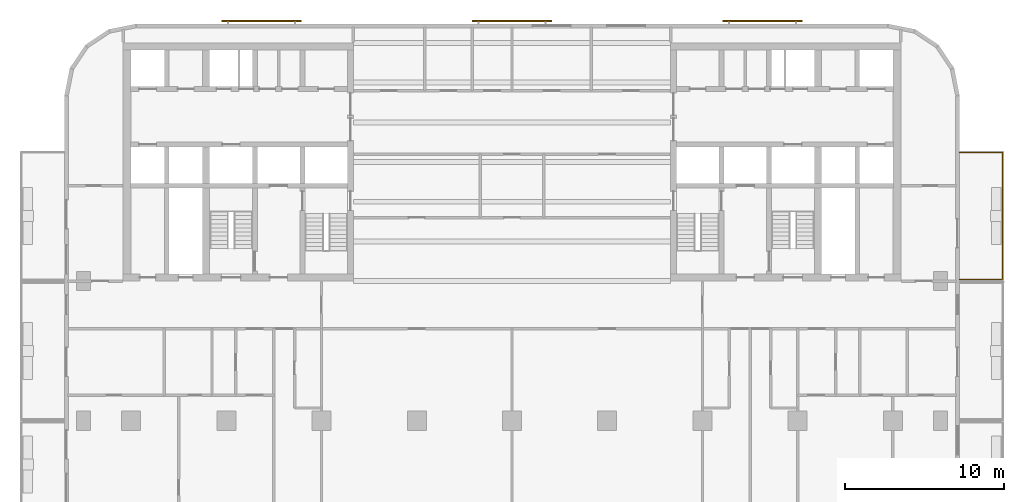
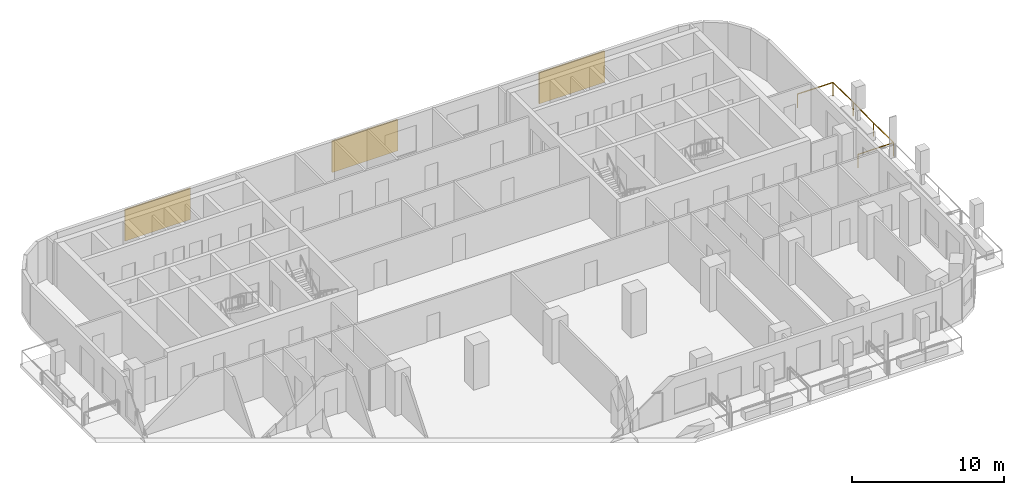
# One storey, part 10 of 11: 3 shading devices, 1 railing.
"""IFC4 building model written with IfcOpenShell, lengths in metres."""

from ifc_helpers import new_model, si_unit, direction, frame, origin, origin_2d, place, context, subcontext, project, spatial, rectangle, circle, extrude, material, layer, layer_set, type_object, element, save


model = new_model("IFC4")

# Units and contexts
model_context = context("Model", 3, precision=1e-05, world=origin(), true_north=direction((0.0, 1.0)))
body_context = subcontext(model_context, "Body", "Model", "MODEL_VIEW")
ifc_project = project(units=[si_unit("LENGTHUNIT", "METRE"), si_unit("AREAUNIT", "SQUARE_METRE"), si_unit("VOLUMEUNIT", "CUBIC_METRE"), si_unit("PLANEANGLEUNIT", "RADIAN"), si_unit("MASSUNIT", "GRAM", prefix="KILO")], contexts=[model_context])

# Site, building, storey
site_placement = place(None, origin())
site = spatial("IfcSite", under=ifc_project, at=site_placement, CompositionType="ELEMENT")
building_placement = place(site_placement, origin())
building = spatial("IfcBuilding", under=site, at=building_placement, Name="Torana Hotel and Residences", CompositionType="ELEMENT")
storey_placement = place(building_placement, frame((0.0, 0.0, 127.199951171875)))
storey = spatial("IfcBuildingStorey", under=building, at=storey_placement, Name="L32", CompositionType="ELEMENT", Elevation=127.199951171875)

# Railing
ifc_material_1 = material(Name="Laminated glass balustrade with black handrail", Category="glass")
railing_type = type_object("IfcRailingType", Name="GR1 BALCONY GUARD 1100 GLASS", PredefinedType="GUARDRAIL", material=ifc_material_1)
railing_placement = place(storey_placement, frame((28.199951171875, -6.89990234375, 0.0)))
element("IfcRailing", 1, at=railing_placement, inside=storey, type_object=railing_type, Name="Balcony guard 14", PredefinedType="GUARDRAIL", context=body_context, shape_type="SweptSolid", body=[
    extrude(circle(Radius=0.02392578125, at=origin_2d()), frame((0.0, 0.0, 1.076171875), z_axis=(1.0, 0.0, 0.0), x_axis=(0.0, 1.0, 0.0)), (0.0, 0.0, 1.0), 2.699951171875),
    extrude(circle(Radius=0.02392578125, at=origin_2d()), frame((2.699951171875, 0.0, 1.076171875), z_axis=(0.0, -1.0, 0.0), x_axis=(1.0, 0.0, 0.0)), (0.0, 0.0, 1.0), 8.0),
    extrude(circle(Radius=0.02392578125, at=origin_2d()), frame((2.699951171875, -8.0, 1.076171875), z_axis=(-1.0, 0.0, 0.0), x_axis=(0.0, -1.0, 0.0)), (0.0, 0.0, 1.0), 2.699951171875),
    extrude(circle(Radius=0.02099609375, at=origin_2d()), origin(), (0.0, 0.0, 1.0), 1.052001953125),
    extrude(circle(Radius=0.02099609375, at=origin_2d()), frame((2.699951171875, 0.0, 0.0)), (0.0, 0.0, 1.0), 1.052001953125),
    extrude(circle(Radius=0.02099609375, at=origin_2d()), frame((2.699951171875, -2.666748046875, 0.0)), (0.0, 0.0, 1.0), 1.052001953125),
    extrude(circle(Radius=0.02099609375, at=origin_2d()), frame((2.699951171875, -5.333251953125, 0.0)), (0.0, 0.0, 1.0), 1.052001953125),
    extrude(circle(Radius=0.02099609375, at=origin_2d()), frame((2.699951171875, -8.0, 0.0)), (0.0, 0.0, 1.0), 1.052001953125),
    extrude(circle(Radius=0.02099609375, at=origin_2d()), frame((0.0, -8.0, 0.0)), (0.0, 0.0, 1.0), 1.052001953125),
])

# Shading devices
ifc_material_2 = material(Name="Concrete C40/50 precast", Category="concrete")
ifc_layer = layer(ifc_material_2, 0.10009765625)
ifc_layer_set = layer_set([ifc_layer], Name="SC1 PERFORATED BLOCK SCREEN PANEL 100")
shading_device_type = type_object("IfcShadingDeviceType", Name="SC1 PERFORATED BLOCK SCREEN PANEL 100", PredefinedType="USERDEFINED", material=ifc_layer_set)
for number, where, z_axis, x_axis, name in (
    (2, (15.78369140625, 1.39990234375, 0.5), (0.0, 0.0, 1.0), (-1.0, 0.0, 0.0), "Perforated block screen L32"),
    (3, (0.0, 1.39990234375, 0.5), (0.0, 0.0, 1.0), (-1.0, 0.0, 0.0), "Perforated block screen L32"),
    (4, (-15.78369140625, 1.39990234375, 0.5), (0.0, 0.0, 1.0), (-1.0, 0.0, 0.0), "Perforated block screen L32"),
):
    element("IfcShadingDevice", number, at=place(storey_placement, frame(where, z_axis=z_axis, x_axis=x_axis)), inside=storey, type_object=shading_device_type, Name=name, ObjectType="SCREEN", PredefinedType="USERDEFINED", context=body_context, shape_type="SweptSolid", body=[
        extrude(rectangle(XDim=5.0, YDim=0.10009765625, at=origin_2d()), origin(), (0.0, 0.0, 1.0), 2.52001953125),
    ])

save(model, "model.ifc")
